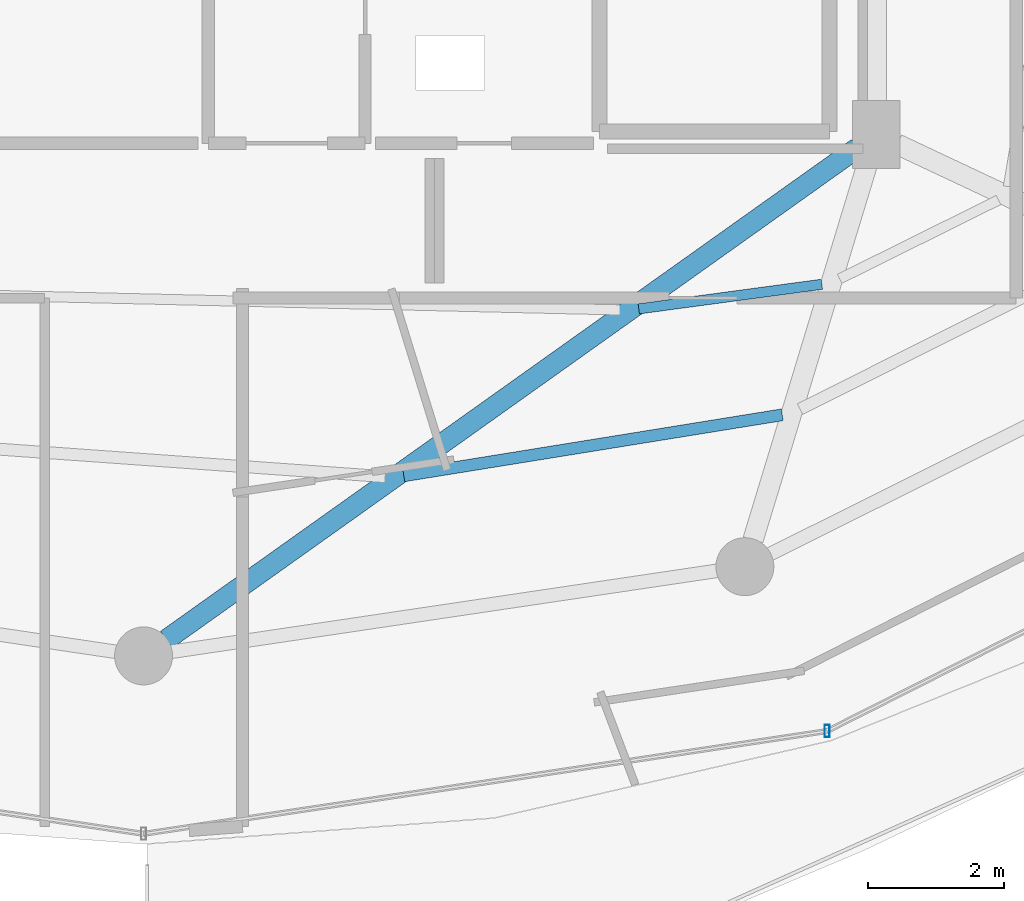
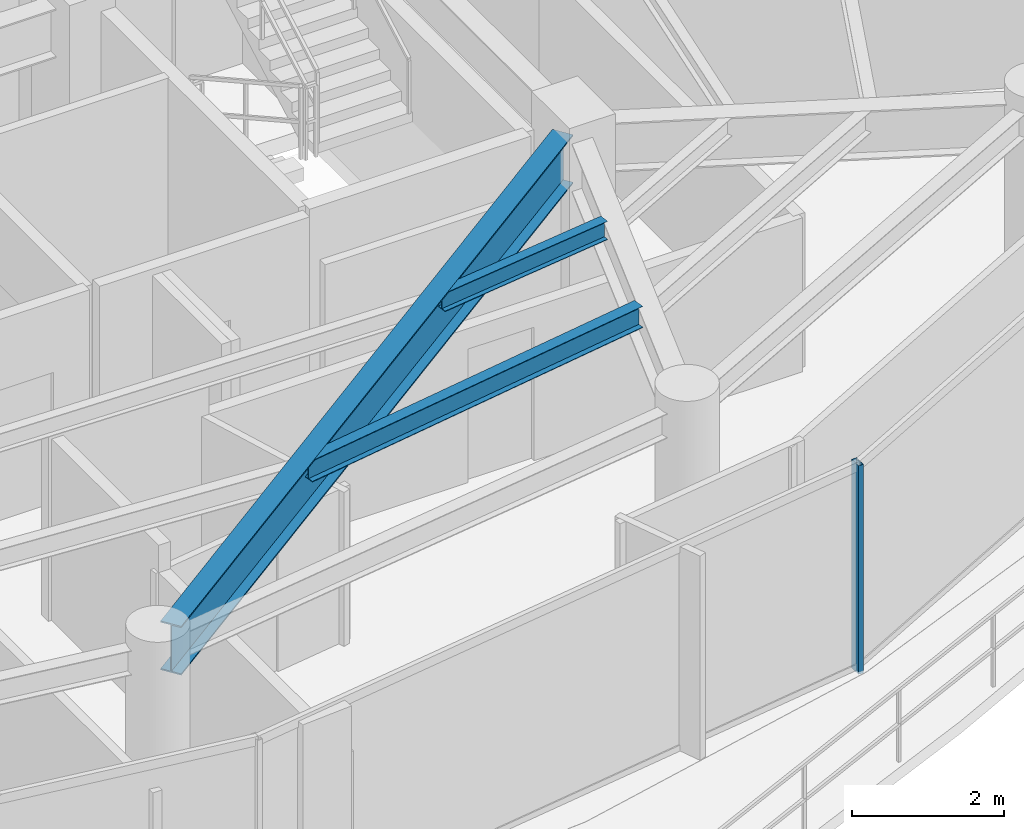
# One storey, part 10 of 30: 3 beams, 1 member, 1 element without a shape of its own.
"""IFC4 building model written with IfcOpenShell, lengths in metres."""

import ifcopenshell
import ifcopenshell.guid

model = None  # the IFC model being written
_history = None  # IfcOwnerHistory: only IFC2X3 demands one
_inside = {}  # id of a spatial element -> (the spatial element, [elements in it])
_under = {}  # id of a project, library or spatial element -> (it, [spatial elements below it])
_declared = {}  # id of a project -> (the project, [libraries it declares])
_typed = {}  # id of a type object -> (the type object, [elements of that type])
_made_of = {}  # id of a material, layer set ... -> (it, [elements and type objects made of it])


def new_model(schema):
    """Start an empty IFC model of exactly this schema.

    Asked for "IFC4X3", IfcOpenShell would pick the latest addendum, in which some entities
    have other attributes; the version numbers below select the first issue.
    IFC2X3 requires an IfcOwnerHistory on every rooted entity: one is made here for all.
    """
    global model, _history
    if schema == "IFC4X3":
        model = ifcopenshell.file(schema_version=(4, 3, 0, 0))
    else:
        model = ifcopenshell.file(schema=schema)
    _inside.clear()
    _under.clear()
    _declared.clear()
    _typed.clear()
    _made_of.clear()
    _history = None
    if model.schema == "IFC2X3":
        org = make("IfcOrganization", Name="unknown")
        user = make(
            "IfcPersonAndOrganization",
            ThePerson=make("IfcPerson", FamilyName="unknown"),
            TheOrganization=org,
        )
        app = make(
            "IfcApplication",
            ApplicationDeveloper=org,
            Version="unknown",
            ApplicationFullName="unknown",
            ApplicationIdentifier="unknown",
        )
        _history = make(
            "IfcOwnerHistory",
            OwningUser=user,
            OwningApplication=app,
            ChangeAction="ADDED",
            CreationDate=0,
        )
    return model


def make(cls, **values):
    """One entity of the class cls with the attributes given. An attribute that is None is left unset."""
    return model.create_entity(
        cls, **{name: value for name, value in values.items() if value is not None}
    )


def rooted(cls, **values):
    """An entity with a GlobalId (a new one), such as an element, a storey or a relation."""
    return make(cls, GlobalId=ifcopenshell.guid.new(), OwnerHistory=_history, **values)


def si_unit(unit_type, name, prefix=None):
    """IfcSIUnit, for example si_unit("LENGTHUNIT", "METRE", prefix="MILLI")."""
    return make("IfcSIUnit", UnitType=unit_type, Prefix=prefix, Name=name)


def assignment(units):
    """IfcUnitAssignment: the units of a project."""
    return None if units is None else make("IfcUnitAssignment", Units=units)


def point(xyz):
    """IfcCartesianPoint."""
    return None if xyz is None else make("IfcCartesianPoint", Coordinates=xyz)


def direction(xyz):
    """IfcDirection."""
    return None if xyz is None else make("IfcDirection", DirectionRatios=xyz)


def frame(location, z_axis=None, x_axis=None):
    """IfcAxis2Placement3D, a coordinate frame: its origin and axes. An axis left out is left unset."""
    return make(
        "IfcAxis2Placement3D",
        Location=point(location),
        Axis=direction(z_axis),
        RefDirection=direction(x_axis),
    )


def frame_2d(location, x_axis=None):
    """IfcAxis2Placement2D, a coordinate frame in the plane: its origin and x axis."""
    return make(
        "IfcAxis2Placement2D", Location=point(location), RefDirection=direction(x_axis)
    )


def origin():
    """The frame at (0, 0, 0) with its axes left unset."""
    return frame((0.0, 0.0, 0.0))


def origin_2d():
    """The frame at (0, 0) in the plane with its x axis left unset."""
    return frame_2d((0.0, 0.0))


def place(relative_to, where):
    """IfcLocalPlacement: puts the frame where relative to a parent placement (None: the world)."""
    return make(
        "IfcLocalPlacement", PlacementRelTo=relative_to, RelativePlacement=where
    )


def context(
    kind, dimensions, precision=None, world=None, true_north=None, identifier=None
):
    """IfcGeometricRepresentationContext, for example the 3D "Model" context."""
    return make(
        "IfcGeometricRepresentationContext",
        ContextIdentifier=identifier,
        ContextType=kind,
        CoordinateSpaceDimension=dimensions,
        Precision=precision,
        WorldCoordinateSystem=world,
        TrueNorth=true_north,
    )


def subcontext(parent, identifier, kind, view, scale=None):
    """IfcGeometricRepresentationSubContext, for example "Body" below "Model"."""
    return make(
        "IfcGeometricRepresentationSubContext",
        ContextIdentifier=identifier,
        ContextType=kind,
        ParentContext=parent,
        TargetScale=scale,
        TargetView=view,
    )


def project(units=None, contexts=None):
    """IfcProject with its units and contexts."""
    return rooted(
        "IfcProject",
        Name="project",
        RepresentationContexts=contexts,
        UnitsInContext=assignment(units),
    )


def spatial(cls, under=None, at=None, **own):
    """A site, building, storey or space (cls), placed at a placement, below another one or the project."""
    s = rooted(cls, ObjectPlacement=at, **own)
    if under is not None:
        _under.setdefault(under.id(), (under, []))[1].append(s)
    return s


def profile(cls, at=None, kind="AREA", **sizes):
    """A parametric profile (cls). Its sizes go by their IFC names, for example OverallWidth=200.0."""
    return make(cls, ProfileType=kind, Position=at, **sizes)


def hollow_rectangle(**sizes):
    """IfcRectangleHollowProfileDef."""
    return profile("IfcRectangleHollowProfileDef", **sizes)


def i_section(**sizes):
    """IfcIShapeProfileDef."""
    return profile("IfcIShapeProfileDef", **sizes)


def extrude(swept, where, along, depth):
    """IfcExtrudedAreaSolid: the profile swept, set in the frame where, extruded along a direction by depth."""
    return make(
        "IfcExtrudedAreaSolid",
        SweptArea=swept,
        Position=where,
        ExtrudedDirection=direction(along),
        Depth=depth,
    )


def shape(context_of_items, identifier, shape_type, items):
    """IfcShapeRepresentation: the items that make up one representation, for example the "Body"."""
    return make(
        "IfcShapeRepresentation",
        ContextOfItems=context_of_items,
        RepresentationIdentifier=identifier,
        RepresentationType=shape_type,
        Items=items,
    )


def material(Name=None, Category=None):
    """IfcMaterial."""
    return make("IfcMaterial", Name=Name, Category=Category)


def material_profile(
    of_material, cross_section, Name=None, Category=None, Priority=None
):
    """IfcMaterialProfile: a cross section and its material."""
    return make(
        "IfcMaterialProfile",
        Name=Name,
        Material=of_material,
        Profile=cross_section,
        Priority=Priority,
        Category=Category,
    )


def profile_set(profiles, Name=None, composite=None):
    """IfcMaterialProfileSet."""
    return make(
        "IfcMaterialProfileSet",
        Name=Name,
        MaterialProfiles=profiles,
        CompositeProfile=composite,
    )


def made_of(thing, what):
    """Note that an element or type object is made of a material, layer set ...; save() writes the relation."""
    if what is not None:
        _made_of.setdefault(what.id(), (what, []))[1].append(thing)
    return thing


def type_object(cls, material=None, **own):
    """A type object (cls), such as IfcWallType, which elements share."""
    return made_of(rooted(cls, **own), material)


def element(
    cls,
    number,
    at=None,
    inside=None,
    cuts=None,
    type_object=None,
    material=None,
    context=None,
    identifier="Body",
    shape_type=None,
    held_by="IfcProductDefinitionShape",
    body=None,
    shapes=None,
    **own,
):
    """One element of the class cls, such as IfcWall. Its Tag is "e" and its number.

    at: its placement. inside: the storey or other place that contains it. cuts: it is an
    opening in that element (IfcRelVoidsElement). A single representation is given by context,
    identifier, shape_type and body (its items); several are given by shapes. held_by: the class
    of the entity that holds the representations. save() writes the other relations.
    """
    e = rooted(cls, Tag="e%d" % number, ObjectPlacement=at, **own)
    if body is not None:
        shapes = [shape(context, identifier, shape_type, body)]
    if shapes is not None:
        e.Representation = make(held_by, Representations=shapes)
    if inside is not None:
        _inside.setdefault(inside.id(), (inside, []))[1].append(e)
    if cuts is not None:
        rooted(
            "IfcRelVoidsElement", RelatingBuildingElement=cuts, RelatedOpeningElement=e
        )
    if type_object is not None:
        _typed.setdefault(type_object.id(), (type_object, []))[1].append(e)
    return made_of(e, material)


def aggregate(whole, parts):
    """IfcRelAggregates: a whole, such as a stair, and the parts it consists of."""
    return rooted("IfcRelAggregates", RelatingObject=whole, RelatedObjects=parts)


def save(model, path):
    """Write the relations noted so far, then the file.

    IfcRelAggregates (storeys below a building ...), IfcRelContainedInSpatialStructure (elements
    in a storey), IfcRelDefinesByType, IfcRelAssociatesMaterial and IfcRelDeclares: one each for
    every whole, place, type object, material and project.
    """
    for whole, parts in _under.values():
        aggregate(whole, parts)
    for where, things in _inside.values():
        rooted(
            "IfcRelContainedInSpatialStructure",
            RelatedElements=things,
            RelatingStructure=where,
        )
    for kind, things in _typed.values():
        rooted("IfcRelDefinesByType", RelatedObjects=things, RelatingType=kind)
    for what, things in _made_of.values():
        rooted("IfcRelAssociatesMaterial", RelatedObjects=things, RelatingMaterial=what)
    for by, libraries in _declared.values():
        rooted("IfcRelDeclares", RelatingContext=by, RelatedDefinitions=libraries)
    model.write(path)


model = new_model("IFC4")

# Units and contexts
model_context = context("Model", 3, precision=1e-05, world=origin(), true_north=direction((0.0, 1.0)))
body_context = subcontext(model_context, "Body", "Model", "MODEL_VIEW")
ifc_project = project(units=[si_unit("LENGTHUNIT", "METRE"), si_unit("AREAUNIT", "SQUARE_METRE"), si_unit("VOLUMEUNIT", "CUBIC_METRE"), si_unit("PLANEANGLEUNIT", "RADIAN"), si_unit("MASSUNIT", "GRAM", prefix="KILO")], contexts=[model_context])

# Site, building, storey
site_placement = place(None, origin())
site = spatial("IfcSite", under=ifc_project, at=site_placement, CompositionType="ELEMENT")
building_placement = place(site_placement, origin())
building = spatial("IfcBuilding", under=site, at=building_placement, Name="Vorneva Point Tower", CompositionType="ELEMENT")
storey_placement = place(building_placement, frame((0.0, 0.0, 237.800048828125)))
storey = spatial("IfcBuildingStorey", under=building, at=storey_placement, Name="L64", CompositionType="ELEMENT", Elevation=237.800048828125)

# Beams
ifc_material_1 = material(Name="Steel S355", Category="steel")
ifc_material_profile_1 = material_profile(ifc_material_1, i_section(OverallWidth=0.300048828125, OverallDepth=0.7880859375, WebThickness=0.014404296875, FlangeThickness=0.02197265625, at=origin_2d()), Name="80Sh1")
ifc_profile_set_1 = profile_set([ifc_material_profile_1], Name="Steel S355")
beam_type_1 = type_object("IfcBeamType", Name="BM-GRD-80Sh1", PredefinedType="USERDEFINED", material=ifc_profile_set_1)
beam_1_placement = place(storey_placement, frame((38.33642578125, 9.03955078125, 2.89599609375), z_axis=(0.814757147543, 0.579802371958, 0.0), x_axis=(-0.579802371958, 0.814757147543, 0.0)))
element("IfcBeam", 1, at=beam_1_placement, inside=storey, type_object=beam_type_1, Name="L64 Radial Primary Girder 13", ObjectType="GIRDER", PredefinedType="USERDEFINED", context=body_context, shape_type="SweptSolid", body=[
    extrude(i_section(OverallWidth=0.300048828125, OverallDepth=0.7880859375, WebThickness=0.014404296875, FlangeThickness=0.02197265625, at=origin_2d()), origin(), (0.0, 0.0, 1.0), 12.441162109375),
])
ifc_material_profile_2 = material_profile(ifc_material_1, i_section(OverallWidth=0.14892578125, OverallDepth=0.298095703125, WebThickness=0.005615234375, FlangeThickness=0.008056640625, at=origin_2d()), Name="30B1")
ifc_profile_set_2 = profile_set([ifc_material_profile_2], Name="Steel S355")
beam_type_2 = type_object("IfcBeamType", Name="BM-JST-30B1", PredefinedType="JOIST", material=ifc_profile_set_2)
beam_2_placement = place(storey_placement, frame((45.2646484375, 13.890869140625, 3.140869140625), z_axis=(0.991092022882, 0.133178835332, 0.0), x_axis=(-0.133178835332, 0.991092022882, 0.0)))
element("IfcBeam", 2, at=beam_2_placement, inside=storey, type_object=beam_type_2, Name="L64 Secondary Floor Beam 2.13", PredefinedType="JOIST", context=body_context, shape_type="SweptSolid", body=[
    extrude(i_section(OverallWidth=0.14892578125, OverallDepth=0.298095703125, WebThickness=0.005615234375, FlangeThickness=0.008056640625, at=origin_2d()), origin(), (0.0, 0.0, 1.0), 2.70947265625),
])
ifc_material_profile_3 = material_profile(ifc_material_1, i_section(OverallWidth=0.174072265625, OverallDepth=0.345947265625, WebThickness=0.006103515625, FlangeThickness=0.009033203125, at=origin_2d()), Name="35B1")
ifc_profile_set_3 = profile_set([ifc_material_profile_3], Name="Steel S355")
beam_type_3 = type_object("IfcBeamType", Name="BM-SEC-35B1", PredefinedType="BEAM", material=ifc_profile_set_3)
beam_3_placement = place(storey_placement, frame((41.81787109375, 11.44189453125, 3.116943359375), z_axis=(0.98724398281, 0.159214692804, 0.0), x_axis=(-0.159214692804, 0.98724398281, 0.0)))
element("IfcBeam", 3, at=beam_3_placement, inside=storey, type_object=beam_type_3, Name="L64 Secondary Floor Beam 1.13", PredefinedType="BEAM", context=body_context, shape_type="SweptSolid", body=[
    extrude(i_section(OverallWidth=0.174072265625, OverallDepth=0.345947265625, WebThickness=0.006103515625, FlangeThickness=0.009033203125, at=origin_2d()), origin(), (0.0, 0.0, 1.0), 5.623046875),
])

# Curtain wall, member
ifc_material_2 = material(Name="Pale anodised aluminium", Category="aluminium")
curtain_wall_type = type_object("IfcCurtainWallType", Name="CW-RES-SYS", PredefinedType="NOTDEFINED", material=ifc_material_2)
curtain_wall_placement = place(storey_placement, origin())
curtain_wall = element("IfcCurtainWall", 4, at=curtain_wall_placement, inside=storey, type_object=curtain_wall_type, Name="L64 Unitised Curtain Wall CW-L64-R04", PredefinedType="NOTDEFINED")
ifc_material_profile_4 = material_profile(ifc_material_2, hollow_rectangle(XDim=0.074951171875, YDim=0.179931640625, WallThickness=0.00390625, at=origin_2d()), Name="AL-MUL 180x75x4")
ifc_profile_set_4 = profile_set([ifc_material_profile_4], Name="Pale anodised aluminium")
member_type = type_object("IfcMemberType", Name="CW-MUL-180", PredefinedType="MULLION", material=ifc_profile_set_4)
member_placement = place(storey_placement, frame((48.0263671875, 7.697998046875, -0.0400390625), z_axis=(0.0, 0.0, 1.0), x_axis=(1.0, 0.0, 0.0)))
member = element("IfcMember", 5, at=member_placement, type_object=member_type, Name="CW-L64-R04 Mullion 04", PredefinedType="MULLION", context=body_context, shape_type="SweptSolid", body=[
    extrude(hollow_rectangle(XDim=0.074951171875, YDim=0.179931640625, WallThickness=0.00390625, at=origin_2d()), origin(), (0.0, 0.0, 1.0), 3.360107421875),
])
aggregate(curtain_wall, [member])

save(model, "model.ifc")
